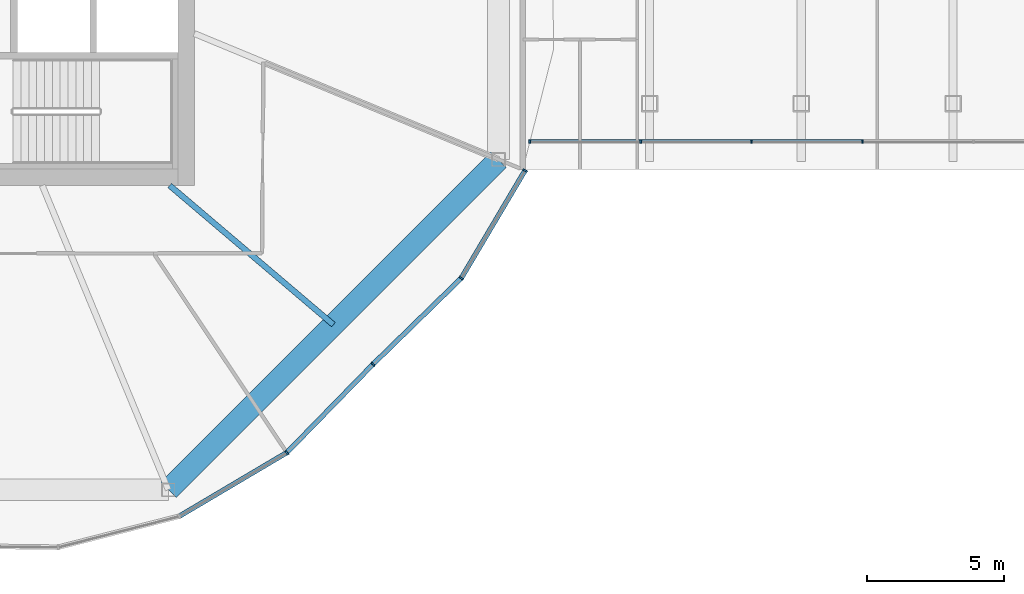
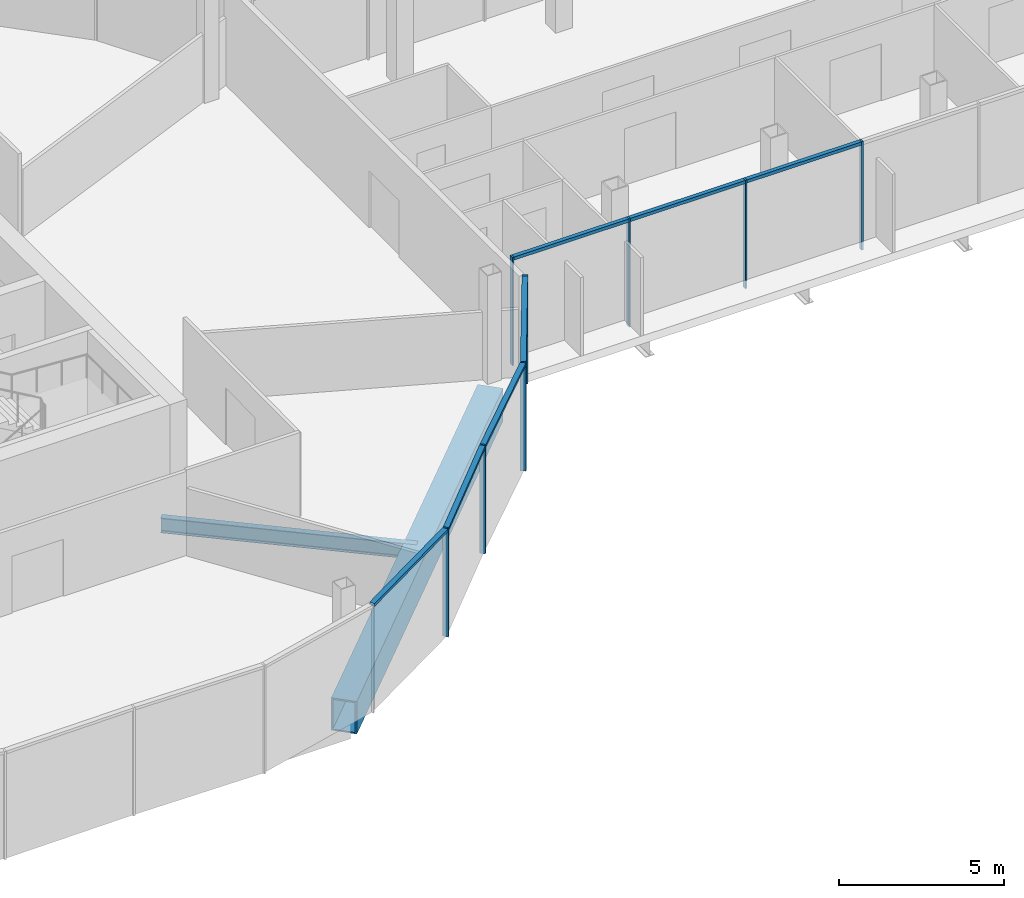
# One storey, part 5 of 25: 15 members, 2 beams, 3 elements without a shape of their own.
"""IFC4 building model written with IfcOpenShell, lengths in metres."""

import ifcopenshell
import ifcopenshell.guid

model = None  # the IFC model being written
_history = None  # IfcOwnerHistory: only IFC2X3 demands one
_inside = {}  # id of a spatial element -> (the spatial element, [elements in it])
_under = {}  # id of a project, library or spatial element -> (it, [spatial elements below it])
_declared = {}  # id of a project -> (the project, [libraries it declares])
_typed = {}  # id of a type object -> (the type object, [elements of that type])
_made_of = {}  # id of a material, layer set ... -> (it, [elements and type objects made of it])


def new_model(schema):
    """Start an empty IFC model of exactly this schema.

    Asked for "IFC4X3", IfcOpenShell would pick the latest addendum, in which some entities
    have other attributes; the version numbers below select the first issue.
    IFC2X3 requires an IfcOwnerHistory on every rooted entity: one is made here for all.
    """
    global model, _history
    if schema == "IFC4X3":
        model = ifcopenshell.file(schema_version=(4, 3, 0, 0))
    else:
        model = ifcopenshell.file(schema=schema)
    _inside.clear()
    _under.clear()
    _declared.clear()
    _typed.clear()
    _made_of.clear()
    _history = None
    if model.schema == "IFC2X3":
        org = make("IfcOrganization", Name="unknown")
        user = make(
            "IfcPersonAndOrganization",
            ThePerson=make("IfcPerson", FamilyName="unknown"),
            TheOrganization=org,
        )
        app = make(
            "IfcApplication",
            ApplicationDeveloper=org,
            Version="unknown",
            ApplicationFullName="unknown",
            ApplicationIdentifier="unknown",
        )
        _history = make(
            "IfcOwnerHistory",
            OwningUser=user,
            OwningApplication=app,
            ChangeAction="ADDED",
            CreationDate=0,
        )
    return model


def make(cls, **values):
    """One entity of the class cls with the attributes given. An attribute that is None is left unset."""
    return model.create_entity(
        cls, **{name: value for name, value in values.items() if value is not None}
    )


def rooted(cls, **values):
    """An entity with a GlobalId (a new one), such as an element, a storey or a relation."""
    return make(cls, GlobalId=ifcopenshell.guid.new(), OwnerHistory=_history, **values)


def si_unit(unit_type, name, prefix=None):
    """IfcSIUnit, for example si_unit("LENGTHUNIT", "METRE", prefix="MILLI")."""
    return make("IfcSIUnit", UnitType=unit_type, Prefix=prefix, Name=name)


def assignment(units):
    """IfcUnitAssignment: the units of a project."""
    return None if units is None else make("IfcUnitAssignment", Units=units)


def point(xyz):
    """IfcCartesianPoint."""
    return None if xyz is None else make("IfcCartesianPoint", Coordinates=xyz)


def direction(xyz):
    """IfcDirection."""
    return None if xyz is None else make("IfcDirection", DirectionRatios=xyz)


def frame(location, z_axis=None, x_axis=None):
    """IfcAxis2Placement3D, a coordinate frame: its origin and axes. An axis left out is left unset."""
    return make(
        "IfcAxis2Placement3D",
        Location=point(location),
        Axis=direction(z_axis),
        RefDirection=direction(x_axis),
    )


def frame_2d(location, x_axis=None):
    """IfcAxis2Placement2D, a coordinate frame in the plane: its origin and x axis."""
    return make(
        "IfcAxis2Placement2D", Location=point(location), RefDirection=direction(x_axis)
    )


def origin():
    """The frame at (0, 0, 0) with its axes left unset."""
    return frame((0.0, 0.0, 0.0))


def origin_2d():
    """The frame at (0, 0) in the plane with its x axis left unset."""
    return frame_2d((0.0, 0.0))


def place(relative_to, where):
    """IfcLocalPlacement: puts the frame where relative to a parent placement (None: the world)."""
    return make(
        "IfcLocalPlacement", PlacementRelTo=relative_to, RelativePlacement=where
    )


def context(
    kind, dimensions, precision=None, world=None, true_north=None, identifier=None
):
    """IfcGeometricRepresentationContext, for example the 3D "Model" context."""
    return make(
        "IfcGeometricRepresentationContext",
        ContextIdentifier=identifier,
        ContextType=kind,
        CoordinateSpaceDimension=dimensions,
        Precision=precision,
        WorldCoordinateSystem=world,
        TrueNorth=true_north,
    )


def subcontext(parent, identifier, kind, view, scale=None):
    """IfcGeometricRepresentationSubContext, for example "Body" below "Model"."""
    return make(
        "IfcGeometricRepresentationSubContext",
        ContextIdentifier=identifier,
        ContextType=kind,
        ParentContext=parent,
        TargetScale=scale,
        TargetView=view,
    )


def project(units=None, contexts=None):
    """IfcProject with its units and contexts."""
    return rooted(
        "IfcProject",
        Name="project",
        RepresentationContexts=contexts,
        UnitsInContext=assignment(units),
    )


def spatial(cls, under=None, at=None, **own):
    """A site, building, storey or space (cls), placed at a placement, below another one or the project."""
    s = rooted(cls, ObjectPlacement=at, **own)
    if under is not None:
        _under.setdefault(under.id(), (under, []))[1].append(s)
    return s


def profile(cls, at=None, kind="AREA", **sizes):
    """A parametric profile (cls). Its sizes go by their IFC names, for example OverallWidth=200.0."""
    return make(cls, ProfileType=kind, Position=at, **sizes)


def rectangle(**sizes):
    """IfcRectangleProfileDef."""
    return profile("IfcRectangleProfileDef", **sizes)


def hollow_rectangle(**sizes):
    """IfcRectangleHollowProfileDef."""
    return profile("IfcRectangleHollowProfileDef", **sizes)


def i_section(**sizes):
    """IfcIShapeProfileDef."""
    return profile("IfcIShapeProfileDef", **sizes)


def extrude(swept, where, along, depth):
    """IfcExtrudedAreaSolid: the profile swept, set in the frame where, extruded along a direction by depth."""
    return make(
        "IfcExtrudedAreaSolid",
        SweptArea=swept,
        Position=where,
        ExtrudedDirection=direction(along),
        Depth=depth,
    )


def shape(context_of_items, identifier, shape_type, items):
    """IfcShapeRepresentation: the items that make up one representation, for example the "Body"."""
    return make(
        "IfcShapeRepresentation",
        ContextOfItems=context_of_items,
        RepresentationIdentifier=identifier,
        RepresentationType=shape_type,
        Items=items,
    )


def material(Name=None, Category=None):
    """IfcMaterial."""
    return make("IfcMaterial", Name=Name, Category=Category)


def material_profile(
    of_material, cross_section, Name=None, Category=None, Priority=None
):
    """IfcMaterialProfile: a cross section and its material."""
    return make(
        "IfcMaterialProfile",
        Name=Name,
        Material=of_material,
        Profile=cross_section,
        Priority=Priority,
        Category=Category,
    )


def profile_set(profiles, Name=None, composite=None):
    """IfcMaterialProfileSet."""
    return make(
        "IfcMaterialProfileSet",
        Name=Name,
        MaterialProfiles=profiles,
        CompositeProfile=composite,
    )


def made_of(thing, what):
    """Note that an element or type object is made of a material, layer set ...; save() writes the relation."""
    if what is not None:
        _made_of.setdefault(what.id(), (what, []))[1].append(thing)
    return thing


def type_object(cls, material=None, **own):
    """A type object (cls), such as IfcWallType, which elements share."""
    return made_of(rooted(cls, **own), material)


def element(
    cls,
    number,
    at=None,
    inside=None,
    cuts=None,
    type_object=None,
    material=None,
    context=None,
    identifier="Body",
    shape_type=None,
    held_by="IfcProductDefinitionShape",
    body=None,
    shapes=None,
    **own,
):
    """One element of the class cls, such as IfcWall. Its Tag is "e" and its number.

    at: its placement. inside: the storey or other place that contains it. cuts: it is an
    opening in that element (IfcRelVoidsElement). A single representation is given by context,
    identifier, shape_type and body (its items); several are given by shapes. held_by: the class
    of the entity that holds the representations. save() writes the other relations.
    """
    e = rooted(cls, Tag="e%d" % number, ObjectPlacement=at, **own)
    if body is not None:
        shapes = [shape(context, identifier, shape_type, body)]
    if shapes is not None:
        e.Representation = make(held_by, Representations=shapes)
    if inside is not None:
        _inside.setdefault(inside.id(), (inside, []))[1].append(e)
    if cuts is not None:
        rooted(
            "IfcRelVoidsElement", RelatingBuildingElement=cuts, RelatedOpeningElement=e
        )
    if type_object is not None:
        _typed.setdefault(type_object.id(), (type_object, []))[1].append(e)
    return made_of(e, material)


def aggregate(whole, parts):
    """IfcRelAggregates: a whole, such as a stair, and the parts it consists of."""
    return rooted("IfcRelAggregates", RelatingObject=whole, RelatedObjects=parts)


def save(model, path):
    """Write the relations noted so far, then the file.

    IfcRelAggregates (storeys below a building ...), IfcRelContainedInSpatialStructure (elements
    in a storey), IfcRelDefinesByType, IfcRelAssociatesMaterial and IfcRelDeclares: one each for
    every whole, place, type object, material and project.
    """
    for whole, parts in _under.values():
        aggregate(whole, parts)
    for where, things in _inside.values():
        rooted(
            "IfcRelContainedInSpatialStructure",
            RelatedElements=things,
            RelatingStructure=where,
        )
    for kind, things in _typed.values():
        rooted("IfcRelDefinesByType", RelatedObjects=things, RelatingType=kind)
    for what, things in _made_of.values():
        rooted("IfcRelAssociatesMaterial", RelatedObjects=things, RelatingMaterial=what)
    for by, libraries in _declared.values():
        rooted("IfcRelDeclares", RelatingContext=by, RelatedDefinitions=libraries)
    model.write(path)


model = new_model("IFC4")

# Units and contexts
model_context = context("Model", 3, precision=1e-05, world=origin(), true_north=direction((0.0, 1.0)))
body_context = subcontext(model_context, "Body", "Model", "MODEL_VIEW")
ifc_project = project(units=[si_unit("LENGTHUNIT", "METRE"), si_unit("AREAUNIT", "SQUARE_METRE"), si_unit("VOLUMEUNIT", "CUBIC_METRE"), si_unit("PLANEANGLEUNIT", "RADIAN"), si_unit("MASSUNIT", "GRAM", prefix="KILO")], contexts=[model_context])

# Site, building, storey
site_placement = place(None, origin())
site = spatial("IfcSite", under=ifc_project, at=site_placement, CompositionType="ELEMENT")
building_placement = place(site_placement, origin())
building = spatial("IfcBuilding", under=site, at=building_placement, Name="Ogive Gate Towers", CompositionType="ELEMENT")
storey_placement = place(building_placement, frame((0.0, 0.0, 144.800048828125)))
storey = spatial("IfcBuildingStorey", under=building, at=storey_placement, Name="L34", CompositionType="ELEMENT", Elevation=144.800048828125)

# Beam
ifc_material_1 = material(Name="Steel SM460", Category="steel")
ifc_material_profile_1 = material_profile(ifc_material_1, hollow_rectangle(XDim=0.800048828125, YDim=1.199951171875, WallThickness=0.050048828125, at=origin_2d()), Name="BX 1200x800x50")
ifc_profile_set_1 = profile_set([ifc_material_profile_1], Name="Steel SM460")
beam_type_1 = type_object("IfcBeamType", Name="Edge girder BX 1200x800x50", PredefinedType="BEAM", material=ifc_profile_set_1)
beam_1_placement = place(storey_placement, frame((-27.450927734375, -20.639404296875, -0.900146484375), z_axis=(0.707106781187, 0.707106781187, 0.0), x_axis=(-0.707106781187, 0.707106781187, 0.0)))
element("IfcBeam", 1, at=beam_1_placement, inside=storey, type_object=beam_type_1, Name="T1/L34/SBM019", PredefinedType="BEAM", context=body_context, shape_type="SweptSolid", body=[
    extrude(hollow_rectangle(XDim=0.800048828125, YDim=1.199951171875, WallThickness=0.050048828125, at=origin_2d()), origin(), (0.0, 0.0, 1.0), 17.098388671875),
])

# Curtain wall, members
ifc_material_2 = material(Name="Pale metal aluminium", Category="aluminium")
curtain_wall_type_1 = type_object("IfcCurtainWallType", Name="Gate block facade", PredefinedType="NOTDEFINED", material=ifc_material_2)
curtain_wall_1_placement = place(storey_placement, origin())
curtain_wall_1 = element("IfcCurtainWall", 2, at=curtain_wall_1_placement, inside=storey, type_object=curtain_wall_type_1, Name="CW3 BR ECW01", PredefinedType="NOTDEFINED")
ifc_material_profile_2 = material_profile(ifc_material_2, rectangle(XDim=0.139892578125, YDim=0.06005859375, at=origin_2d()), Name="60 x 140 aluminium box")
ifc_profile_set_2 = profile_set([ifc_material_profile_2], Name="Pale metal aluminium")
member_type_1 = type_object("IfcMemberType", Name="Gate block facade mullion 60 x 140", PredefinedType="MULLION", material=ifc_profile_set_2)
member_1_placement = place(storey_placement, frame((-14.21728515625, -7.886474609375, -0.300048828125), z_axis=(0.0, 0.0, 1.0), x_axis=(0.0, -1.0, 0.0)))
member_1 = element("IfcMember", 3, at=member_1_placement, type_object=member_type_1, Name="CW3 mullion", PredefinedType="MULLION", context=body_context, shape_type="SweptSolid", body=[
    extrude(rectangle(XDim=0.139892578125, YDim=0.06005859375, at=origin_2d()), origin(), (0.0, 0.0, 1.0), 4.0),
])
member_2_placement = place(storey_placement, frame((-10.1552734375, -7.886474609375, -0.300048828125), z_axis=(0.0, 0.0, 1.0), x_axis=(0.0, -1.0, 0.0)))
member_2 = element("IfcMember", 4, at=member_2_placement, type_object=member_type_1, Name="CW3 mullion", PredefinedType="MULLION", context=body_context, shape_type="SweptSolid", body=[
    extrude(rectangle(XDim=0.139892578125, YDim=0.06005859375, at=origin_2d()), origin(), (0.0, 0.0, 1.0), 4.0),
])
member_3_placement = place(storey_placement, frame((-6.09326171875, -7.886474609375, -0.300048828125), z_axis=(0.0, 0.0, 1.0), x_axis=(0.0, -1.0, 0.0)))
member_3 = element("IfcMember", 5, at=member_3_placement, type_object=member_type_1, Name="CW3 mullion", PredefinedType="MULLION", context=body_context, shape_type="SweptSolid", body=[
    extrude(rectangle(XDim=0.139892578125, YDim=0.06005859375, at=origin_2d()), origin(), (0.0, 0.0, 1.0), 4.0),
])
member_4_placement = place(storey_placement, frame((-2.031005859375, -7.886474609375, -0.300048828125), z_axis=(0.0, 0.0, 1.0), x_axis=(0.0, -1.0, 0.0)))
member_4 = element("IfcMember", 6, at=member_4_placement, type_object=member_type_1, Name="CW3 mullion", PredefinedType="MULLION", context=body_context, shape_type="SweptSolid", body=[
    extrude(rectangle(XDim=0.139892578125, YDim=0.06005859375, at=origin_2d()), origin(), (0.0, 0.0, 1.0), 4.0),
])
ifc_material_profile_3 = material_profile(ifc_material_2, rectangle(XDim=0.139892578125, YDim=0.1201171875, at=origin_2d()), Name="120 x 140 aluminium box")
ifc_profile_set_3 = profile_set([ifc_material_profile_3], Name="Pale metal aluminium")
member_type_2 = type_object("IfcMemberType", Name="Gate block facade transom 120 x 140", PredefinedType="USERDEFINED", material=ifc_profile_set_3)
member_5_placement = place(storey_placement, frame((-14.1875, -7.886474609375, 3.639892578125), z_axis=(1.0, 0.0, 0.0), x_axis=(0.0, 1.0, 0.0)))
member_5 = element("IfcMember", 7, at=member_5_placement, type_object=member_type_2, Name="CW3 transom", ObjectType="TRANSOM", PredefinedType="USERDEFINED", context=body_context, shape_type="SweptSolid", body=[
    extrude(rectangle(XDim=0.139892578125, YDim=0.1201171875, at=origin_2d()), origin(), (0.0, 0.0, 1.0), 4.002197265625),
])
member_6_placement = place(storey_placement, frame((-10.125244140625, -7.886474609375, 3.639892578125), z_axis=(1.0, 0.0, 0.0), x_axis=(0.0, 1.0, 0.0)))
member_6 = element("IfcMember", 8, at=member_6_placement, type_object=member_type_2, Name="CW3 transom", ObjectType="TRANSOM", PredefinedType="USERDEFINED", context=body_context, shape_type="SweptSolid", body=[
    extrude(rectangle(XDim=0.139892578125, YDim=0.1201171875, at=origin_2d()), origin(), (0.0, 0.0, 1.0), 4.001953125),
])
member_7_placement = place(storey_placement, frame((-6.063232421875, -7.886474609375, 3.639892578125), z_axis=(1.0, 0.0, 0.0), x_axis=(0.0, 1.0, 0.0)))
member_7 = element("IfcMember", 9, at=member_7_placement, type_object=member_type_2, Name="CW3 transom", ObjectType="TRANSOM", PredefinedType="USERDEFINED", context=body_context, shape_type="SweptSolid", body=[
    extrude(rectangle(XDim=0.139892578125, YDim=0.1201171875, at=origin_2d()), origin(), (0.0, 0.0, 1.0), 4.002197265625),
])
aggregate(curtain_wall_1, [member_1, member_2, member_5, member_3, member_6, member_4, member_7])

# Beam
ifc_material_3 = material(Name="Steel SM355", Category="steel")
ifc_material_profile_4 = material_profile(ifc_material_3, i_section(OverallWidth=0.2099609375, OverallDepth=0.550048828125, WebThickness=0.010986328125, FlangeThickness=0.01708984375, FilletRadius=0.02392578125, at=origin_2d()), Name="IPE 550")
ifc_profile_set_4 = profile_set([ifc_material_profile_4], Name="Steel SM355")
beam_type_2 = type_object("IfcBeamType", Name="Radial floor beam IPE 550", PredefinedType="BEAM", material=ifc_profile_set_4)
beam_2_placement = place(storey_placement, frame((-27.39990234375, -9.5, -0.574951171875), z_axis=(0.761988324045, -0.647590761222, 0.0), x_axis=(0.647590761222, 0.761988324045, 0.0)))
element("IfcBeam", 10, at=beam_2_placement, inside=storey, type_object=beam_type_2, Name="T1/L34/SBM006", PredefinedType="BEAM", context=body_context, shape_type="SweptSolid", body=[
    extrude(i_section(OverallWidth=0.2099609375, OverallDepth=0.550048828125, WebThickness=0.010986328125, FlangeThickness=0.01708984375, FilletRadius=0.02392578125, at=origin_2d()), origin(), (0.0, 0.0, 1.0), 7.866455078125),
])

# Curtain wall, members
curtain_wall_type_2 = type_object("IfcCurtainWallType", Name="Tower unitised wall, high zone", PredefinedType="NOTDEFINED", material=ifc_material_2)
curtain_wall_2_placement = place(storey_placement, origin())
curtain_wall_2 = element("IfcCurtainWall", 11, at=curtain_wall_2_placement, inside=storey, type_object=curtain_wall_type_2, Name="CW2 T1 ECW07", PredefinedType="NOTDEFINED")
ifc_material_profile_5 = material_profile(ifc_material_2, rectangle(XDim=0.179931640625, YDim=0.06005859375, at=origin_2d()), Name="60 x 180 aluminium box")
ifc_profile_set_5 = profile_set([ifc_material_profile_5], Name="Pale metal aluminium")
member_type_3 = type_object("IfcMemberType", Name="Tower unitised wall, high zone mullion 60 x 180", PredefinedType="MULLION", material=ifc_profile_set_5)
member_8_placement = place(storey_placement, frame((-23.110107421875, -19.2783203125, -0.300048828125), z_axis=(0.0, 0.0, 1.0), x_axis=(0.618038000371, -0.786148223999, 0.0)))
member_8 = element("IfcMember", 12, at=member_8_placement, type_object=member_type_3, Name="CW2 mullion", PredefinedType="MULLION", context=body_context, shape_type="SweptSolid", body=[
    extrude(rectangle(XDim=0.179931640625, YDim=0.06005859375, at=origin_2d()), origin(), (0.0, 0.0, 1.0), 4.0),
])
member_9_placement = place(storey_placement, frame((-19.955810546875, -16.044189453125, -0.300048828125), z_axis=(0.0, 0.0, 1.0), x_axis=(0.715863367385, -0.698240387858, 0.0)))
member_9 = element("IfcMember", 13, at=member_9_placement, type_object=member_type_3, Name="CW2 mullion", PredefinedType="MULLION", context=body_context, shape_type="SweptSolid", body=[
    extrude(rectangle(XDim=0.179931640625, YDim=0.06005859375, at=origin_2d()), origin(), (0.0, 0.0, 1.0), 4.0),
])

curtain_wall_3_placement = place(storey_placement, origin())
curtain_wall_3 = element("IfcCurtainWall", 14, at=curtain_wall_3_placement, inside=storey, type_object=curtain_wall_type_2, Name="CW2 T1 ECW08", PredefinedType="NOTDEFINED")
member_10_placement = place(storey_placement, frame((-16.7216796875, -12.889892578125, -0.300048828125), z_axis=(0.0, 0.0, 1.0), x_axis=(0.786148223999, -0.618038000371, 0.0)))
member_10 = element("IfcMember", 15, at=member_10_placement, type_object=member_type_3, Name="CW2 mullion", PredefinedType="MULLION", context=body_context, shape_type="SweptSolid", body=[
    extrude(rectangle(XDim=0.179931640625, YDim=0.06005859375, at=origin_2d()), origin(), (0.0, 0.0, 1.0), 4.0),
])
member_11_placement = place(storey_placement, frame((-14.388916015625, -8.9501953125, -0.300048828125), z_axis=(0.0, 0.0, 1.0), x_axis=(0.860466483121, -0.509507047474, 0.0)))
member_11 = element("IfcMember", 16, at=member_11_placement, type_object=member_type_3, Name="CW2 mullion", PredefinedType="MULLION", context=body_context, shape_type="SweptSolid", body=[
    extrude(rectangle(XDim=0.179931640625, YDim=0.06005859375, at=origin_2d()), origin(), (0.0, 0.0, 1.0), 4.0),
])

# Member
ifc_material_profile_6 = material_profile(ifc_material_2, rectangle(XDim=0.179931640625, YDim=0.10009765625, at=origin_2d()), Name="100 x 180 aluminium box")
ifc_profile_set_6 = profile_set([ifc_material_profile_6], Name="Pale metal aluminium")
member_type_4 = type_object("IfcMemberType", Name="Tower unitised wall, high zone transom 100 x 180", PredefinedType="USERDEFINED", material=ifc_profile_set_6)
member_12_placement = place(storey_placement, frame((-27.024169921875, -21.595703125, 3.64990234375), z_axis=(0.860480997661, 0.509482534209, 0.0), x_axis=(-0.509482534209, 0.860480997661, 0.0)))
member_12 = element("IfcMember", 17, at=member_12_placement, type_object=member_type_4, Name="CW2 transom", ObjectType="TRANSOM", PredefinedType="USERDEFINED", context=body_context, shape_type="SweptSolid", body=[
    extrude(rectangle(XDim=0.179931640625, YDim=0.10009765625, at=origin_2d()), origin(), (0.0, 0.0, 1.0), 4.519775390625),
])

member_13_placement = place(storey_placement, frame((-23.090087890625, -19.2578125, 3.64990234375), z_axis=(0.698236265486, 0.71586738825, 0.0), x_axis=(-0.71586738825, 0.698236265486, 0.0)))
member_13 = element("IfcMember", 18, at=member_13_placement, type_object=member_type_4, Name="CW2 transom", ObjectType="TRANSOM", PredefinedType="USERDEFINED", context=body_context, shape_type="SweptSolid", body=[
    extrude(rectangle(XDim=0.179931640625, YDim=0.10009765625, at=origin_2d()), origin(), (0.0, 0.0, 1.0), 4.458740234375),
])

aggregate(curtain_wall_2, [member_8, member_12, member_9, member_13])

member_14_placement = place(storey_placement, frame((-19.93408203125, -16.023193359375, 3.64990234375), z_axis=(0.71586738825, 0.698236265486, 0.0), x_axis=(-0.698236265486, 0.71586738825, 0.0)))
member_14 = element("IfcMember", 19, at=member_14_placement, type_object=member_type_4, Name="CW2 transom", ObjectType="TRANSOM", PredefinedType="USERDEFINED", context=body_context, shape_type="SweptSolid", body=[
    extrude(rectangle(XDim=0.179931640625, YDim=0.10009765625, at=origin_2d()), origin(), (0.0, 0.0, 1.0), 4.458740234375),
])

member_15_placement = place(storey_placement, frame((-16.70703125, -12.864990234375, 3.64990234375), z_axis=(0.509482534209, 0.860480997661, 0.0), x_axis=(-0.860480997661, 0.509482534209, 0.0)))
member_15 = element("IfcMember", 20, at=member_15_placement, type_object=member_type_4, Name="CW2 transom", ObjectType="TRANSOM", PredefinedType="USERDEFINED", context=body_context, shape_type="SweptSolid", body=[
    extrude(rectangle(XDim=0.179931640625, YDim=0.10009765625, at=origin_2d()), origin(), (0.0, 0.0, 1.0), 4.519775390625),
])

aggregate(curtain_wall_3, [member_10, member_14, member_11, member_15])

save(model, "model.ifc")
